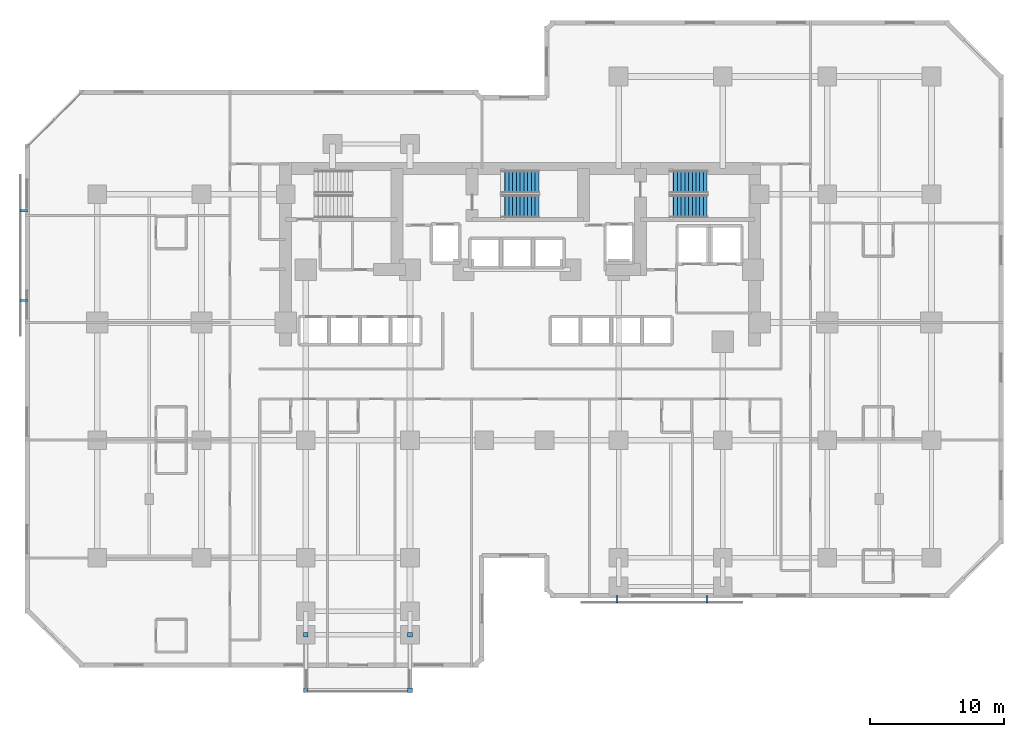
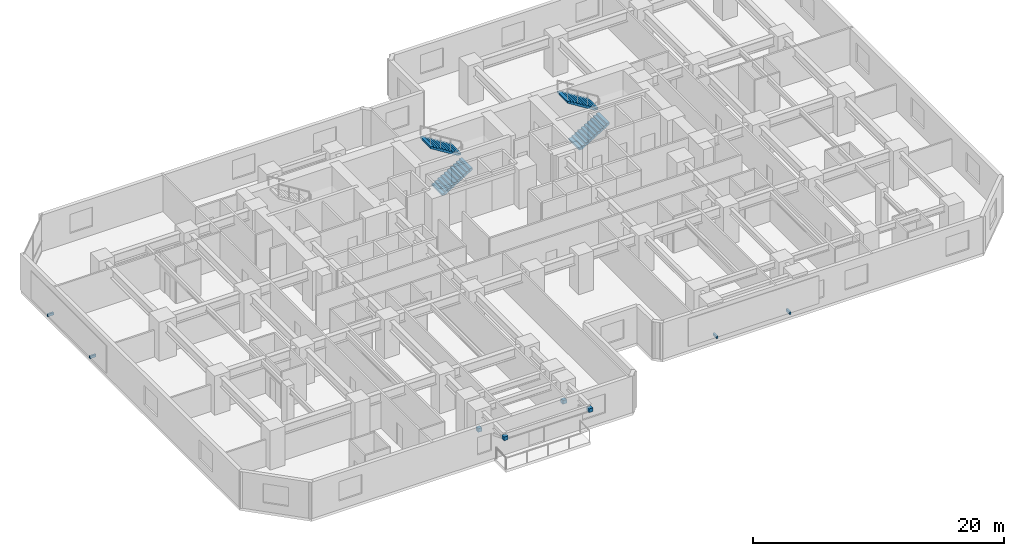
# One storey, part 10 of 12: 8 discrete accessories, 4 stair flights, 2 elements without a shape of their own.
"""IFC4 building model written with IfcOpenShell, lengths in metres."""

import ifcopenshell
import ifcopenshell.guid

model = None  # the IFC model being written
_history = None  # IfcOwnerHistory: only IFC2X3 demands one
_inside = {}  # id of a spatial element -> (the spatial element, [elements in it])
_under = {}  # id of a project, library or spatial element -> (it, [spatial elements below it])
_declared = {}  # id of a project -> (the project, [libraries it declares])
_typed = {}  # id of a type object -> (the type object, [elements of that type])
_made_of = {}  # id of a material, layer set ... -> (it, [elements and type objects made of it])


def new_model(schema):
    """Start an empty IFC model of exactly this schema.

    Asked for "IFC4X3", IfcOpenShell would pick the latest addendum, in which some entities
    have other attributes; the version numbers below select the first issue.
    IFC2X3 requires an IfcOwnerHistory on every rooted entity: one is made here for all.
    """
    global model, _history
    if schema == "IFC4X3":
        model = ifcopenshell.file(schema_version=(4, 3, 0, 0))
    else:
        model = ifcopenshell.file(schema=schema)
    _inside.clear()
    _under.clear()
    _declared.clear()
    _typed.clear()
    _made_of.clear()
    _history = None
    if model.schema == "IFC2X3":
        org = make("IfcOrganization", Name="unknown")
        user = make(
            "IfcPersonAndOrganization",
            ThePerson=make("IfcPerson", FamilyName="unknown"),
            TheOrganization=org,
        )
        app = make(
            "IfcApplication",
            ApplicationDeveloper=org,
            Version="unknown",
            ApplicationFullName="unknown",
            ApplicationIdentifier="unknown",
        )
        _history = make(
            "IfcOwnerHistory",
            OwningUser=user,
            OwningApplication=app,
            ChangeAction="ADDED",
            CreationDate=0,
        )
    return model


def make(cls, **values):
    """One entity of the class cls with the attributes given. An attribute that is None is left unset."""
    return model.create_entity(
        cls, **{name: value for name, value in values.items() if value is not None}
    )


def rooted(cls, **values):
    """An entity with a GlobalId (a new one), such as an element, a storey or a relation."""
    return make(cls, GlobalId=ifcopenshell.guid.new(), OwnerHistory=_history, **values)


def si_unit(unit_type, name, prefix=None):
    """IfcSIUnit, for example si_unit("LENGTHUNIT", "METRE", prefix="MILLI")."""
    return make("IfcSIUnit", UnitType=unit_type, Prefix=prefix, Name=name)


def assignment(units):
    """IfcUnitAssignment: the units of a project."""
    return None if units is None else make("IfcUnitAssignment", Units=units)


def point(xyz):
    """IfcCartesianPoint."""
    return None if xyz is None else make("IfcCartesianPoint", Coordinates=xyz)


def direction(xyz):
    """IfcDirection."""
    return None if xyz is None else make("IfcDirection", DirectionRatios=xyz)


def frame(location, z_axis=None, x_axis=None):
    """IfcAxis2Placement3D, a coordinate frame: its origin and axes. An axis left out is left unset."""
    return make(
        "IfcAxis2Placement3D",
        Location=point(location),
        Axis=direction(z_axis),
        RefDirection=direction(x_axis),
    )


def frame_2d(location, x_axis=None):
    """IfcAxis2Placement2D, a coordinate frame in the plane: its origin and x axis."""
    return make(
        "IfcAxis2Placement2D", Location=point(location), RefDirection=direction(x_axis)
    )


def origin():
    """The frame at (0, 0, 0) with its axes left unset."""
    return frame((0.0, 0.0, 0.0))


def origin_2d():
    """The frame at (0, 0) in the plane with its x axis left unset."""
    return frame_2d((0.0, 0.0))


def place(relative_to, where):
    """IfcLocalPlacement: puts the frame where relative to a parent placement (None: the world)."""
    return make(
        "IfcLocalPlacement", PlacementRelTo=relative_to, RelativePlacement=where
    )


def context(
    kind, dimensions, precision=None, world=None, true_north=None, identifier=None
):
    """IfcGeometricRepresentationContext, for example the 3D "Model" context."""
    return make(
        "IfcGeometricRepresentationContext",
        ContextIdentifier=identifier,
        ContextType=kind,
        CoordinateSpaceDimension=dimensions,
        Precision=precision,
        WorldCoordinateSystem=world,
        TrueNorth=true_north,
    )


def subcontext(parent, identifier, kind, view, scale=None):
    """IfcGeometricRepresentationSubContext, for example "Body" below "Model"."""
    return make(
        "IfcGeometricRepresentationSubContext",
        ContextIdentifier=identifier,
        ContextType=kind,
        ParentContext=parent,
        TargetScale=scale,
        TargetView=view,
    )


def project(units=None, contexts=None):
    """IfcProject with its units and contexts."""
    return rooted(
        "IfcProject",
        Name="project",
        RepresentationContexts=contexts,
        UnitsInContext=assignment(units),
    )


def spatial(cls, under=None, at=None, **own):
    """A site, building, storey or space (cls), placed at a placement, below another one or the project."""
    s = rooted(cls, ObjectPlacement=at, **own)
    if under is not None:
        _under.setdefault(under.id(), (under, []))[1].append(s)
    return s


def polyline(points):
    """IfcPolyline through the points."""
    return make("IfcPolyline", Points=[point(p) for p in points])


def profile(cls, at=None, kind="AREA", **sizes):
    """A parametric profile (cls). Its sizes go by their IFC names, for example OverallWidth=200.0."""
    return make(cls, ProfileType=kind, Position=at, **sizes)


def rectangle(**sizes):
    """IfcRectangleProfileDef."""
    return profile("IfcRectangleProfileDef", **sizes)


def outline(outer, holes=None, kind="AREA"):
    """IfcArbitraryClosedProfileDef: a profile drawn as a closed curve; with holes, ...WithVoids."""
    if holes is None:
        return make("IfcArbitraryClosedProfileDef", ProfileType=kind, OuterCurve=outer)
    return make(
        "IfcArbitraryProfileDefWithVoids",
        ProfileType=kind,
        OuterCurve=outer,
        InnerCurves=holes,
    )


def extrude(swept, where, along, depth):
    """IfcExtrudedAreaSolid: the profile swept, set in the frame where, extruded along a direction by depth."""
    return make(
        "IfcExtrudedAreaSolid",
        SweptArea=swept,
        Position=where,
        ExtrudedDirection=direction(along),
        Depth=depth,
    )


def shape(context_of_items, identifier, shape_type, items):
    """IfcShapeRepresentation: the items that make up one representation, for example the "Body"."""
    return make(
        "IfcShapeRepresentation",
        ContextOfItems=context_of_items,
        RepresentationIdentifier=identifier,
        RepresentationType=shape_type,
        Items=items,
    )


def material(Name=None, Category=None):
    """IfcMaterial."""
    return make("IfcMaterial", Name=Name, Category=Category)


def made_of(thing, what):
    """Note that an element or type object is made of a material, layer set ...; save() writes the relation."""
    if what is not None:
        _made_of.setdefault(what.id(), (what, []))[1].append(thing)
    return thing


def type_object(cls, material=None, **own):
    """A type object (cls), such as IfcWallType, which elements share."""
    return made_of(rooted(cls, **own), material)


def element(
    cls,
    number,
    at=None,
    inside=None,
    cuts=None,
    type_object=None,
    material=None,
    context=None,
    identifier="Body",
    shape_type=None,
    held_by="IfcProductDefinitionShape",
    body=None,
    shapes=None,
    **own,
):
    """One element of the class cls, such as IfcWall. Its Tag is "e" and its number.

    at: its placement. inside: the storey or other place that contains it. cuts: it is an
    opening in that element (IfcRelVoidsElement). A single representation is given by context,
    identifier, shape_type and body (its items); several are given by shapes. held_by: the class
    of the entity that holds the representations. save() writes the other relations.
    """
    e = rooted(cls, Tag="e%d" % number, ObjectPlacement=at, **own)
    if body is not None:
        shapes = [shape(context, identifier, shape_type, body)]
    if shapes is not None:
        e.Representation = make(held_by, Representations=shapes)
    if inside is not None:
        _inside.setdefault(inside.id(), (inside, []))[1].append(e)
    if cuts is not None:
        rooted(
            "IfcRelVoidsElement", RelatingBuildingElement=cuts, RelatedOpeningElement=e
        )
    if type_object is not None:
        _typed.setdefault(type_object.id(), (type_object, []))[1].append(e)
    return made_of(e, material)


def aggregate(whole, parts):
    """IfcRelAggregates: a whole, such as a stair, and the parts it consists of."""
    return rooted("IfcRelAggregates", RelatingObject=whole, RelatedObjects=parts)


def save(model, path):
    """Write the relations noted so far, then the file.

    IfcRelAggregates (storeys below a building ...), IfcRelContainedInSpatialStructure (elements
    in a storey), IfcRelDefinesByType, IfcRelAssociatesMaterial and IfcRelDeclares: one each for
    every whole, place, type object, material and project.
    """
    for whole, parts in _under.values():
        aggregate(whole, parts)
    for where, things in _inside.values():
        rooted(
            "IfcRelContainedInSpatialStructure",
            RelatedElements=things,
            RelatingStructure=where,
        )
    for kind, things in _typed.values():
        rooted("IfcRelDefinesByType", RelatedObjects=things, RelatingType=kind)
    for what, things in _made_of.values():
        rooted("IfcRelAssociatesMaterial", RelatedObjects=things, RelatingMaterial=what)
    for by, libraries in _declared.values():
        rooted("IfcRelDeclares", RelatingContext=by, RelatedDefinitions=libraries)
    model.write(path)


model = new_model("IFC4")

# Units and contexts
model_context = context("Model", 3, precision=1e-05, world=origin(), true_north=direction((0.0, 1.0)))
body_context = subcontext(model_context, "Body", "Model", "MODEL_VIEW")
ifc_project = project(units=[si_unit("LENGTHUNIT", "METRE"), si_unit("AREAUNIT", "SQUARE_METRE"), si_unit("VOLUMEUNIT", "CUBIC_METRE"), si_unit("PLANEANGLEUNIT", "RADIAN"), si_unit("MASSUNIT", "GRAM", prefix="KILO")], contexts=[model_context])

# Site, building, storey
site_placement = place(None, origin())
site = spatial("IfcSite", under=ifc_project, at=site_placement, CompositionType="ELEMENT")
building_placement = place(site_placement, origin())
building = spatial("IfcBuilding", under=site, at=building_placement, Name="Kestravale Grand Hotel", CompositionType="ELEMENT")
storey_placement = place(building_placement, frame((0.0, 0.0, 48.800048828125)))
storey = spatial("IfcBuildingStorey", under=building, at=storey_placement, Name="L11", CompositionType="ELEMENT", Elevation=48.800048828125)

# Stair, stair flights
ifc_material_1 = material(Name="Concrete f'c 45 MPa", Category="concrete")
stair_type = type_object("IfcStairType", Name="ST-CORE-380", PredefinedType="HALF_TURN_STAIR", material=ifc_material_1)
stair_1_placement = place(storey_placement, origin())
stair_1 = element("IfcStair", 1, at=stair_1_placement, inside=storey, type_object=stair_type, Name="L11 ST-2", PredefinedType="HALF_TURN_STAIR")
ifc_material_2 = material(Name="Concrete f'c 45 MPa", Category="concrete")
stair_flight_type = type_object("IfcStairFlightType", Name="STF-CORE-380", PredefinedType="STRAIGHT", material=ifc_material_2)
stair_flight_1_placement = place(storey_placement, frame((38.030029296875, 37.489990234375, 0.0), z_axis=(0.0, 0.0, 1.0), x_axis=(1.0, 0.0, 0.0)))
stair_flight_1 = element("IfcStairFlight", 2, at=stair_flight_1_placement, type_object=stair_flight_type, Name="ST-2 flight 1", NumberOfRisers=11, NumberOfTreads=10, PredefinedType="STRAIGHT", RiserHeight=0.172727273, TreadLength=0.28, context=body_context, shape_type="SweptSolid", body=[
    extrude(outline(polyline([(0.0, 0.0), (0.0, 0.172607421875), (0.280029296875, 0.172607421875), (0.280029296875, 0.345458984375), (0.56005859375, 0.345458984375), (0.56005859375, 0.51806640625), (0.840087890625, 0.51806640625), (0.840087890625, 0.69091796875), (1.1201171875, 0.69091796875), (1.1201171875, 0.863525390625), (1.39990234375, 0.863525390625), (1.39990234375, 1.036376953125), (1.679931640625, 1.036376953125), (1.679931640625, 1.208984375), (1.9599609375, 1.208984375), (1.9599609375, 1.3818359375), (2.239990234375, 1.3818359375), (2.239990234375, 1.554443359375), (2.52001953125, 1.554443359375), (2.52001953125, 1.727294921875), (2.800048828125, 1.727294921875), (2.800048828125, 1.89990234375), (2.800048828125, 1.551025390625), (0.285400390625, 0.0), (0.0, 0.0)])), frame((0.0, 0.83984375, 0.0), z_axis=(0.0, -1.0, 0.0), x_axis=(1.0, 0.0, 0.0)), (0.0, 0.0, 1.0), 1.679931640625),
])
stair_flight_2_placement = place(storey_placement, frame((40.830078125, 39.320068359375, 1.89990234375), z_axis=(0.0, 0.0, 1.0), x_axis=(-1.0, 0.0, 0.0)))
stair_flight_2 = element("IfcStairFlight", 3, at=stair_flight_2_placement, type_object=stair_flight_type, Name="ST-2 flight 2", NumberOfRisers=11, NumberOfTreads=10, PredefinedType="STRAIGHT", RiserHeight=0.172727273, TreadLength=0.28, context=body_context, shape_type="SweptSolid", body=[
    extrude(outline(polyline([(0.0, 0.0), (0.0, 0.172607421875), (0.280029296875, 0.172607421875), (0.280029296875, 0.345458984375), (0.56005859375, 0.345458984375), (0.56005859375, 0.51806640625), (0.840087890625, 0.51806640625), (0.840087890625, 0.69091796875), (1.1201171875, 0.69091796875), (1.1201171875, 0.863525390625), (1.39990234375, 0.863525390625), (1.39990234375, 1.036376953125), (1.679931640625, 1.036376953125), (1.679931640625, 1.208984375), (1.9599609375, 1.208984375), (1.9599609375, 1.3818359375), (2.239990234375, 1.3818359375), (2.239990234375, 1.554443359375), (2.52001953125, 1.554443359375), (2.52001953125, 1.727294921875), (2.800048828125, 1.727294921875), (2.800048828125, 1.89990234375), (2.800048828125, 1.551025390625), (0.285400390625, 0.0), (0.0, 0.0)])), frame((0.0, 0.83984375, 0.0), z_axis=(0.0, -1.0, 0.0), x_axis=(1.0, 0.0, 0.0)), (0.0, 0.0, 1.0), 1.679931640625),
])
aggregate(stair_1, [stair_flight_1, stair_flight_2])

stair_2_placement = place(storey_placement, origin())
stair_2 = element("IfcStair", 4, at=stair_2_placement, inside=storey, type_object=stair_type, Name="L11 ST-3", PredefinedType="HALF_TURN_STAIR")
stair_flight_3_placement = place(storey_placement, frame((50.6298828125, 37.489990234375, 0.0), z_axis=(0.0, 0.0, 1.0), x_axis=(1.0, 0.0, 0.0)))
stair_flight_3 = element("IfcStairFlight", 5, at=stair_flight_3_placement, type_object=stair_flight_type, Name="ST-3 flight 1", NumberOfRisers=11, NumberOfTreads=10, PredefinedType="STRAIGHT", RiserHeight=0.172727273, TreadLength=0.28, context=body_context, shape_type="SweptSolid", body=[
    extrude(outline(polyline([(0.0, 0.0), (0.0, 0.172607421875), (0.280029296875, 0.172607421875), (0.280029296875, 0.345458984375), (0.56005859375, 0.345458984375), (0.56005859375, 0.51806640625), (0.840087890625, 0.51806640625), (0.840087890625, 0.69091796875), (1.1201171875, 0.69091796875), (1.1201171875, 0.863525390625), (1.39990234375, 0.863525390625), (1.39990234375, 1.036376953125), (1.679931640625, 1.036376953125), (1.679931640625, 1.208984375), (1.9599609375, 1.208984375), (1.9599609375, 1.3818359375), (2.239990234375, 1.3818359375), (2.239990234375, 1.554443359375), (2.52001953125, 1.554443359375), (2.52001953125, 1.727294921875), (2.800048828125, 1.727294921875), (2.800048828125, 1.89990234375), (2.800048828125, 1.551025390625), (0.285400390625, 0.0), (0.0, 0.0)])), frame((0.0, 0.83984375, 0.0), z_axis=(0.0, -1.0, 0.0), x_axis=(1.0, 0.0, 0.0)), (0.0, 0.0, 1.0), 1.679931640625),
])
stair_flight_4_placement = place(storey_placement, frame((53.429931640625, 39.320068359375, 1.89990234375), z_axis=(0.0, 0.0, 1.0), x_axis=(-1.0, 0.0, 0.0)))
stair_flight_4 = element("IfcStairFlight", 6, at=stair_flight_4_placement, type_object=stair_flight_type, Name="ST-3 flight 2", NumberOfRisers=11, NumberOfTreads=10, PredefinedType="STRAIGHT", RiserHeight=0.172727273, TreadLength=0.28, context=body_context, shape_type="SweptSolid", body=[
    extrude(outline(polyline([(0.0, 0.0), (0.0, 0.172607421875), (0.280029296875, 0.172607421875), (0.280029296875, 0.345458984375), (0.56005859375, 0.345458984375), (0.56005859375, 0.51806640625), (0.840087890625, 0.51806640625), (0.840087890625, 0.69091796875), (1.1201171875, 0.69091796875), (1.1201171875, 0.863525390625), (1.39990234375, 0.863525390625), (1.39990234375, 1.036376953125), (1.679931640625, 1.036376953125), (1.679931640625, 1.208984375), (1.9599609375, 1.208984375), (1.9599609375, 1.3818359375), (2.239990234375, 1.3818359375), (2.239990234375, 1.554443359375), (2.52001953125, 1.554443359375), (2.52001953125, 1.727294921875), (2.800048828125, 1.727294921875), (2.800048828125, 1.89990234375), (2.800048828125, 1.551025390625), (0.285400390625, 0.0), (0.0, 0.0)])), frame((0.0, 0.83984375, 0.0), z_axis=(0.0, -1.0, 0.0), x_axis=(1.0, 0.0, 0.0)), (0.0, 0.0, 1.0), 1.679931640625),
])
aggregate(stair_2, [stair_flight_3, stair_flight_4])

# Discrete accessories
ifc_material_3 = material(Name="Steel ASTM A572 Grade 50 hot-dip galvanised bracket", Category="steel")
discrete_accessory_type = type_object("IfcDiscreteAccessoryType", Name="ACC-BRK-STL", PredefinedType="BRACKET", material=ifc_material_3)
for number, where, z_axis, x_axis, name in (
    (7, (23.39990234375, 5.449951171875, 1.19384765625), (0.0, 0.0, 1.0), (1.0, 0.0, 0.0), "L12 terrace strut column bracket 1"),
    (8, (23.39990234375, 1.300048828125, 2.89404296875), (0.0, 0.0, 1.0), (1.0, 0.0, 0.0), "L12 terrace strut beam bracket 1"),
    (9, (31.199951171875, 5.449951171875, 1.19384765625), (0.0, 0.0, 1.0), (1.0, 0.0, 0.0), "L12 terrace strut column bracket 2"),
    (10, (31.199951171875, 1.300048828125, 2.89404296875), (0.0, 0.0, 1.0), (1.0, 0.0, 0.0), "L12 terrace strut beam bracket 2"),
):
    element("IfcDiscreteAccessory", number, at=place(storey_placement, frame(where, z_axis=z_axis, x_axis=x_axis)), inside=storey, type_object=discrete_accessory_type, Name=name, PredefinedType="BRACKET", context=body_context, shape_type="SweptSolid", body=[
        extrude(rectangle(XDim=0.360107421875, YDim=0.360107421875, at=origin_2d()), origin(), (0.0, 0.0, 1.0), 0.360107421875),
    ])
for number, where, z_axis, x_axis, name in (
    (11, (46.68994140625, 8.10498046875, 0.56005859375), (0.0, 0.0, 1.0), (1.0, 0.0, 0.0), "L11 solar screen standoff bracket 1"),
    (12, (53.409912109375, 8.10498046875, 0.56005859375), (0.0, 0.0, 1.0), (1.0, 0.0, 0.0), "L11 solar screen standoff bracket 2"),
    (13, (2.304931640625, 37.159912109375, 0.56005859375), (0.0, 0.0, 1.0), (0.0, -1.0, 0.0), "L11 solar screen standoff bracket 1"),
    (14, (2.304931640625, 30.43994140625, 0.56005859375), (0.0, 0.0, 1.0), (0.0, -1.0, 0.0), "L11 solar screen standoff bracket 2"),
):
    element("IfcDiscreteAccessory", number, at=place(storey_placement, frame(where, z_axis=z_axis, x_axis=x_axis)), inside=storey, type_object=discrete_accessory_type, Name=name, PredefinedType="BRACKET", context=body_context, shape_type="SweptSolid", body=[
        extrude(rectangle(XDim=0.159912109375, YDim=0.56005859375, at=origin_2d()), origin(), (0.0, 0.0, 1.0), 0.239990234375),
    ])

save(model, "model.ifc")
